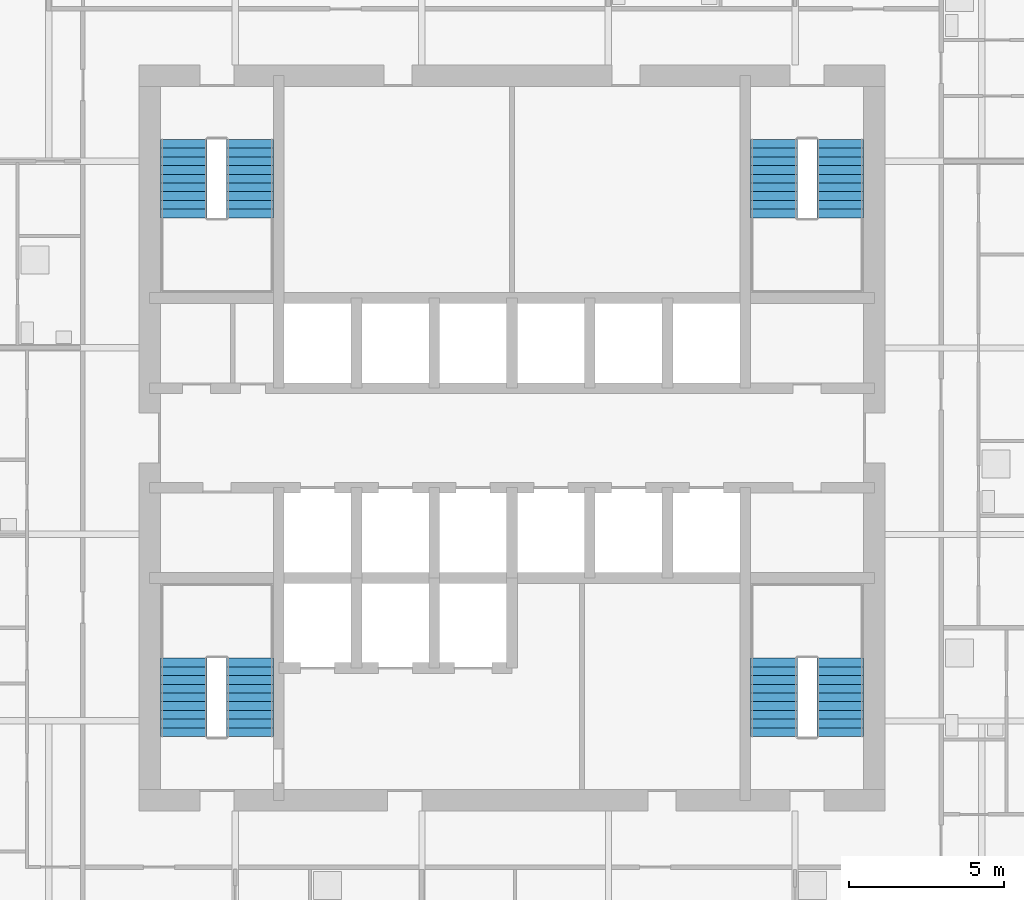
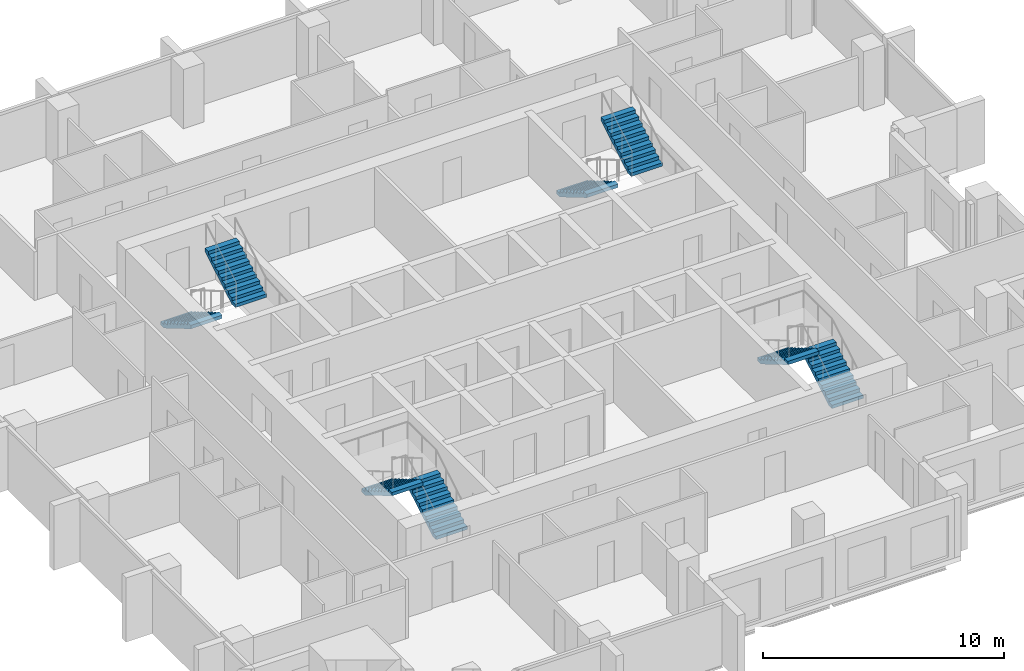
# One storey, part 8 of 10: 8 stair flights, 4 elements without a shape of their own.
"""IFC4 building model written with IfcOpenShell, lengths in metres."""

from ifc_helpers import new_model, si_unit, direction, frame, origin, place, context, subcontext, project, spatial, polyline, outline, extrude, material, type_object, element, aggregate, save


model = new_model("IFC4")

# Units and contexts
model_context = context("Model", 3, precision=1e-05, world=origin(), true_north=direction((0.0, 1.0)))
body_context = subcontext(model_context, "Body", "Model", "MODEL_VIEW")
ifc_project = project(units=[si_unit("LENGTHUNIT", "METRE"), si_unit("AREAUNIT", "SQUARE_METRE"), si_unit("VOLUMEUNIT", "CUBIC_METRE"), si_unit("PLANEANGLEUNIT", "RADIAN"), si_unit("MASSUNIT", "GRAM", prefix="KILO")], contexts=[model_context])

# Site, building, storey
site_placement = place(None, origin())
site = spatial("IfcSite", under=ifc_project, at=site_placement, CompositionType="ELEMENT")
building_placement = place(site_placement, origin())
building = spatial("IfcBuilding", under=site, at=building_placement, Name="Amberfall Residences", CompositionType="ELEMENT")
storey_placement = place(building_placement, frame((0.0, 0.0, 147.10009765625)))
storey = spatial("IfcBuildingStorey", under=building, at=storey_placement, Name="L39", CompositionType="ELEMENT", Elevation=147.10009765625)

# Stair, stair flights
ifc_material = material(Name="Concrete C40", Category="concrete")
stair_type = type_object("IfcStairType", Name="Exit stair 20 risers 165.0 mm", PredefinedType="HALF_TURN_STAIR", material=ifc_material)
stair_1_placement = place(storey_placement, origin())
stair_1 = element("IfcStair", 1, at=stair_1_placement, inside=storey, type_object=stair_type, Name="L39 Exit stair 1", PredefinedType="HALF_TURN_STAIR")
stair_flight_type = type_object("IfcStairFlightType", Name="Stair flight 10 risers 165.0 mm", PredefinedType="STRAIGHT", material=ifc_material)
stair_flight_1_placement = place(storey_placement, frame((66.074951171875, 35.89990234375, 0.0), z_axis=(0.0, 0.0, 1.0), x_axis=(0.0, 1.0, 0.0)))
stair_flight_1 = element("IfcStairFlight", 2, at=stair_flight_1_placement, type_object=stair_flight_type, Name="ST3 flight 1", NumberOfRisers=10, NumberOfTreads=9, PredefinedType="STRAIGHT", RiserHeight=0.165, TreadLength=0.28, context=body_context, shape_type="SweptSolid", body=[
    extrude(outline(polyline([(0.0, 0.0), (0.0, 0.1650390625), (0.280029296875, 0.1650390625), (0.280029296875, 0.330078125), (0.56005859375, 0.330078125), (0.56005859375, 0.4951171875), (0.840087890625, 0.4951171875), (0.840087890625, 0.659912109375), (1.1201171875, 0.659912109375), (1.1201171875, 0.824951171875), (1.39990234375, 0.824951171875), (1.39990234375, 0.989990234375), (1.679931640625, 0.989990234375), (1.679931640625, 1.155029296875), (1.9599609375, 1.155029296875), (1.9599609375, 1.320068359375), (2.239990234375, 1.320068359375), (2.239990234375, 1.485107421875), (2.52001953125, 1.485107421875), (2.52001953125, 1.64990234375), (2.52001953125, 1.31103515625), (0.295166015625, 0.0), (0.0, 0.0)])), frame((0.0, 0.75, 0.0), z_axis=(0.0, -1.0, 0.0), x_axis=(1.0, 0.0, 0.0)), (0.0, 0.0, 1.0), 1.5),
])
stair_flight_2_placement = place(storey_placement, frame((63.949951171875, 38.419921875, 1.64990234375), z_axis=(0.0, 0.0, 1.0), x_axis=(0.0, -1.0, 0.0)))
stair_flight_2 = element("IfcStairFlight", 3, at=stair_flight_2_placement, type_object=stair_flight_type, Name="ST3 flight 2", NumberOfRisers=10, NumberOfTreads=9, PredefinedType="STRAIGHT", RiserHeight=0.165, TreadLength=0.28, context=body_context, shape_type="SweptSolid", body=[
    extrude(outline(polyline([(0.0, 0.0), (0.0, 0.1650390625), (0.280029296875, 0.1650390625), (0.280029296875, 0.330078125), (0.56005859375, 0.330078125), (0.56005859375, 0.4951171875), (0.840087890625, 0.4951171875), (0.840087890625, 0.659912109375), (1.1201171875, 0.659912109375), (1.1201171875, 0.824951171875), (1.39990234375, 0.824951171875), (1.39990234375, 0.989990234375), (1.679931640625, 0.989990234375), (1.679931640625, 1.155029296875), (1.9599609375, 1.155029296875), (1.9599609375, 1.320068359375), (2.239990234375, 1.320068359375), (2.239990234375, 1.485107421875), (2.52001953125, 1.485107421875), (2.52001953125, 1.64990234375), (2.52001953125, 1.31103515625), (0.295166015625, 0.0), (0.0, 0.0)])), frame((0.0, 0.75, 0.0), z_axis=(0.0, -1.0, 0.0), x_axis=(1.0, 0.0, 0.0)), (0.0, 0.0, 1.0), 1.5),
])
aggregate(stair_1, [stair_flight_1, stair_flight_2])

stair_2_placement = place(storey_placement, origin())
stair_2 = element("IfcStair", 4, at=stair_2_placement, inside=storey, type_object=stair_type, Name="L39 Exit stair 2", PredefinedType="HALF_TURN_STAIR")
stair_flight_3_placement = place(storey_placement, frame((85.050048828125, 35.89990234375, 0.0), z_axis=(0.0, 0.0, 1.0), x_axis=(0.0, 1.0, 0.0)))
stair_flight_3 = element("IfcStairFlight", 5, at=stair_flight_3_placement, type_object=stair_flight_type, Name="ST3 flight 1", NumberOfRisers=10, NumberOfTreads=9, PredefinedType="STRAIGHT", RiserHeight=0.165, TreadLength=0.28, context=body_context, shape_type="SweptSolid", body=[
    extrude(outline(polyline([(0.0, 0.0), (0.0, 0.1650390625), (0.280029296875, 0.1650390625), (0.280029296875, 0.330078125), (0.56005859375, 0.330078125), (0.56005859375, 0.4951171875), (0.840087890625, 0.4951171875), (0.840087890625, 0.659912109375), (1.1201171875, 0.659912109375), (1.1201171875, 0.824951171875), (1.39990234375, 0.824951171875), (1.39990234375, 0.989990234375), (1.679931640625, 0.989990234375), (1.679931640625, 1.155029296875), (1.9599609375, 1.155029296875), (1.9599609375, 1.320068359375), (2.239990234375, 1.320068359375), (2.239990234375, 1.485107421875), (2.52001953125, 1.485107421875), (2.52001953125, 1.64990234375), (2.52001953125, 1.31103515625), (0.295166015625, 0.0), (0.0, 0.0)])), frame((0.0, 0.75, 0.0), z_axis=(0.0, -1.0, 0.0), x_axis=(1.0, 0.0, 0.0)), (0.0, 0.0, 1.0), 1.5),
])
stair_flight_4_placement = place(storey_placement, frame((82.925048828125, 38.419921875, 1.64990234375), z_axis=(0.0, 0.0, 1.0), x_axis=(0.0, -1.0, 0.0)))
stair_flight_4 = element("IfcStairFlight", 6, at=stair_flight_4_placement, type_object=stair_flight_type, Name="ST3 flight 2", NumberOfRisers=10, NumberOfTreads=9, PredefinedType="STRAIGHT", RiserHeight=0.165, TreadLength=0.28, context=body_context, shape_type="SweptSolid", body=[
    extrude(outline(polyline([(0.0, 0.0), (0.0, 0.1650390625), (0.280029296875, 0.1650390625), (0.280029296875, 0.330078125), (0.56005859375, 0.330078125), (0.56005859375, 0.4951171875), (0.840087890625, 0.4951171875), (0.840087890625, 0.659912109375), (1.1201171875, 0.659912109375), (1.1201171875, 0.824951171875), (1.39990234375, 0.824951171875), (1.39990234375, 0.989990234375), (1.679931640625, 0.989990234375), (1.679931640625, 1.155029296875), (1.9599609375, 1.155029296875), (1.9599609375, 1.320068359375), (2.239990234375, 1.320068359375), (2.239990234375, 1.485107421875), (2.52001953125, 1.485107421875), (2.52001953125, 1.64990234375), (2.52001953125, 1.31103515625), (0.295166015625, 0.0), (0.0, 0.0)])), frame((0.0, 0.75, 0.0), z_axis=(0.0, -1.0, 0.0), x_axis=(1.0, 0.0, 0.0)), (0.0, 0.0, 1.0), 1.5),
])
aggregate(stair_2, [stair_flight_3, stair_flight_4])

stair_3_placement = place(storey_placement, origin())
stair_3 = element("IfcStair", 7, at=stair_3_placement, inside=storey, type_object=stair_type, Name="L39 Exit stair 3", PredefinedType="HALF_TURN_STAIR")
stair_flight_5_placement = place(storey_placement, frame((82.925048828125, 55.10009765625, 0.0), z_axis=(0.0, 0.0, 1.0), x_axis=(0.0, -1.0, 0.0)))
stair_flight_5 = element("IfcStairFlight", 8, at=stair_flight_5_placement, type_object=stair_flight_type, Name="ST3 flight 1", NumberOfRisers=10, NumberOfTreads=9, PredefinedType="STRAIGHT", RiserHeight=0.165, TreadLength=0.28, context=body_context, shape_type="SweptSolid", body=[
    extrude(outline(polyline([(0.0, 0.0), (0.0, 0.1650390625), (0.280029296875, 0.1650390625), (0.280029296875, 0.330078125), (0.56005859375, 0.330078125), (0.56005859375, 0.4951171875), (0.840087890625, 0.4951171875), (0.840087890625, 0.659912109375), (1.1201171875, 0.659912109375), (1.1201171875, 0.824951171875), (1.39990234375, 0.824951171875), (1.39990234375, 0.989990234375), (1.679931640625, 0.989990234375), (1.679931640625, 1.155029296875), (1.9599609375, 1.155029296875), (1.9599609375, 1.320068359375), (2.239990234375, 1.320068359375), (2.239990234375, 1.485107421875), (2.52001953125, 1.485107421875), (2.52001953125, 1.64990234375), (2.52001953125, 1.31103515625), (0.295166015625, 0.0), (0.0, 0.0)])), frame((0.0, 0.75, 0.0), z_axis=(0.0, -1.0, 0.0), x_axis=(1.0, 0.0, 0.0)), (0.0, 0.0, 1.0), 1.5),
])
stair_flight_6_placement = place(storey_placement, frame((85.050048828125, 52.580078125, 1.64990234375), z_axis=(0.0, 0.0, 1.0), x_axis=(0.0, 1.0, 0.0)))
stair_flight_6 = element("IfcStairFlight", 9, at=stair_flight_6_placement, type_object=stair_flight_type, Name="ST3 flight 2", NumberOfRisers=10, NumberOfTreads=9, PredefinedType="STRAIGHT", RiserHeight=0.165, TreadLength=0.28, context=body_context, shape_type="SweptSolid", body=[
    extrude(outline(polyline([(0.0, 0.0), (0.0, 0.1650390625), (0.280029296875, 0.1650390625), (0.280029296875, 0.330078125), (0.56005859375, 0.330078125), (0.56005859375, 0.4951171875), (0.840087890625, 0.4951171875), (0.840087890625, 0.659912109375), (1.1201171875, 0.659912109375), (1.1201171875, 0.824951171875), (1.39990234375, 0.824951171875), (1.39990234375, 0.989990234375), (1.679931640625, 0.989990234375), (1.679931640625, 1.155029296875), (1.9599609375, 1.155029296875), (1.9599609375, 1.320068359375), (2.239990234375, 1.320068359375), (2.239990234375, 1.485107421875), (2.52001953125, 1.485107421875), (2.52001953125, 1.64990234375), (2.52001953125, 1.31103515625), (0.295166015625, 0.0), (0.0, 0.0)])), frame((0.0, 0.75, 0.0), z_axis=(0.0, -1.0, 0.0), x_axis=(1.0, 0.0, 0.0)), (0.0, 0.0, 1.0), 1.5),
])
aggregate(stair_3, [stair_flight_5, stair_flight_6])

stair_4_placement = place(storey_placement, origin())
stair_4 = element("IfcStair", 10, at=stair_4_placement, inside=storey, type_object=stair_type, Name="L39 Exit stair 4", PredefinedType="HALF_TURN_STAIR")
stair_flight_7_placement = place(storey_placement, frame((63.949951171875, 55.10009765625, 0.0), z_axis=(0.0, 0.0, 1.0), x_axis=(0.0, -1.0, 0.0)))
stair_flight_7 = element("IfcStairFlight", 11, at=stair_flight_7_placement, type_object=stair_flight_type, Name="ST3 flight 1", NumberOfRisers=10, NumberOfTreads=9, PredefinedType="STRAIGHT", RiserHeight=0.165, TreadLength=0.28, context=body_context, shape_type="SweptSolid", body=[
    extrude(outline(polyline([(0.0, 0.0), (0.0, 0.1650390625), (0.280029296875, 0.1650390625), (0.280029296875, 0.330078125), (0.56005859375, 0.330078125), (0.56005859375, 0.4951171875), (0.840087890625, 0.4951171875), (0.840087890625, 0.659912109375), (1.1201171875, 0.659912109375), (1.1201171875, 0.824951171875), (1.39990234375, 0.824951171875), (1.39990234375, 0.989990234375), (1.679931640625, 0.989990234375), (1.679931640625, 1.155029296875), (1.9599609375, 1.155029296875), (1.9599609375, 1.320068359375), (2.239990234375, 1.320068359375), (2.239990234375, 1.485107421875), (2.52001953125, 1.485107421875), (2.52001953125, 1.64990234375), (2.52001953125, 1.31103515625), (0.295166015625, 0.0), (0.0, 0.0)])), frame((0.0, 0.75, 0.0), z_axis=(0.0, -1.0, 0.0), x_axis=(1.0, 0.0, 0.0)), (0.0, 0.0, 1.0), 1.5),
])
stair_flight_8_placement = place(storey_placement, frame((66.074951171875, 52.580078125, 1.64990234375), z_axis=(0.0, 0.0, 1.0), x_axis=(0.0, 1.0, 0.0)))
stair_flight_8 = element("IfcStairFlight", 12, at=stair_flight_8_placement, type_object=stair_flight_type, Name="ST3 flight 2", NumberOfRisers=10, NumberOfTreads=9, PredefinedType="STRAIGHT", RiserHeight=0.165, TreadLength=0.28, context=body_context, shape_type="SweptSolid", body=[
    extrude(outline(polyline([(0.0, 0.0), (0.0, 0.1650390625), (0.280029296875, 0.1650390625), (0.280029296875, 0.330078125), (0.56005859375, 0.330078125), (0.56005859375, 0.4951171875), (0.840087890625, 0.4951171875), (0.840087890625, 0.659912109375), (1.1201171875, 0.659912109375), (1.1201171875, 0.824951171875), (1.39990234375, 0.824951171875), (1.39990234375, 0.989990234375), (1.679931640625, 0.989990234375), (1.679931640625, 1.155029296875), (1.9599609375, 1.155029296875), (1.9599609375, 1.320068359375), (2.239990234375, 1.320068359375), (2.239990234375, 1.485107421875), (2.52001953125, 1.485107421875), (2.52001953125, 1.64990234375), (2.52001953125, 1.31103515625), (0.295166015625, 0.0), (0.0, 0.0)])), frame((0.0, 0.75, 0.0), z_axis=(0.0, -1.0, 0.0), x_axis=(1.0, 0.0, 0.0)), (0.0, 0.0, 1.0), 1.5),
])
aggregate(stair_4, [stair_flight_7, stair_flight_8])

save(model, "model.ifc")
